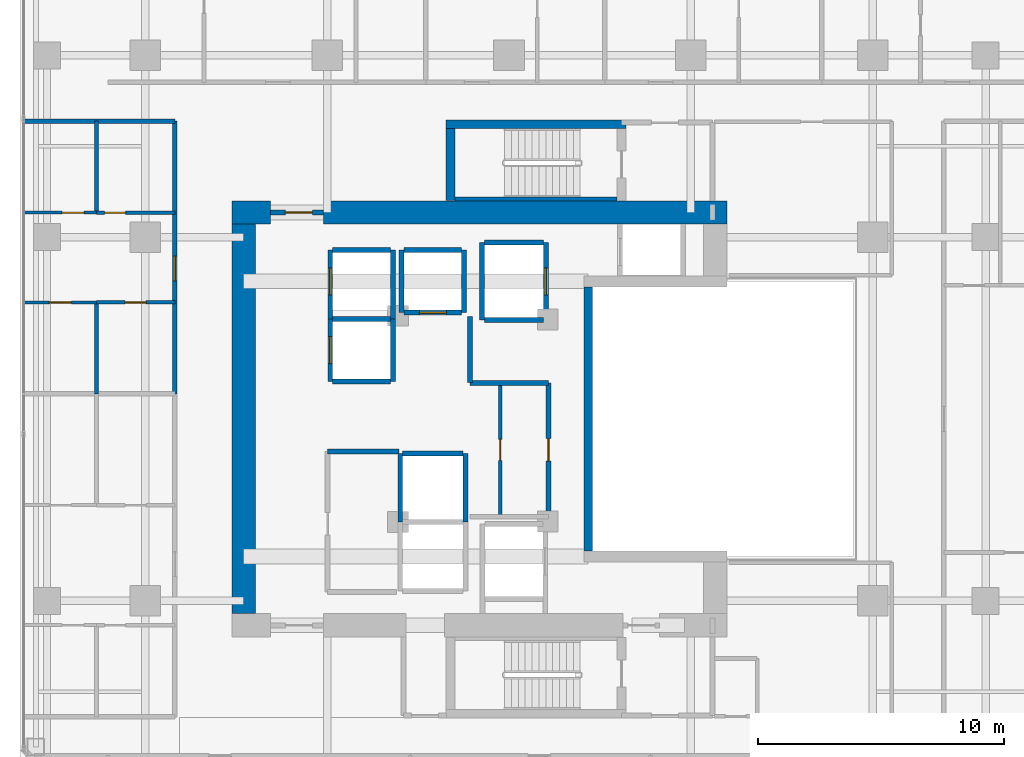
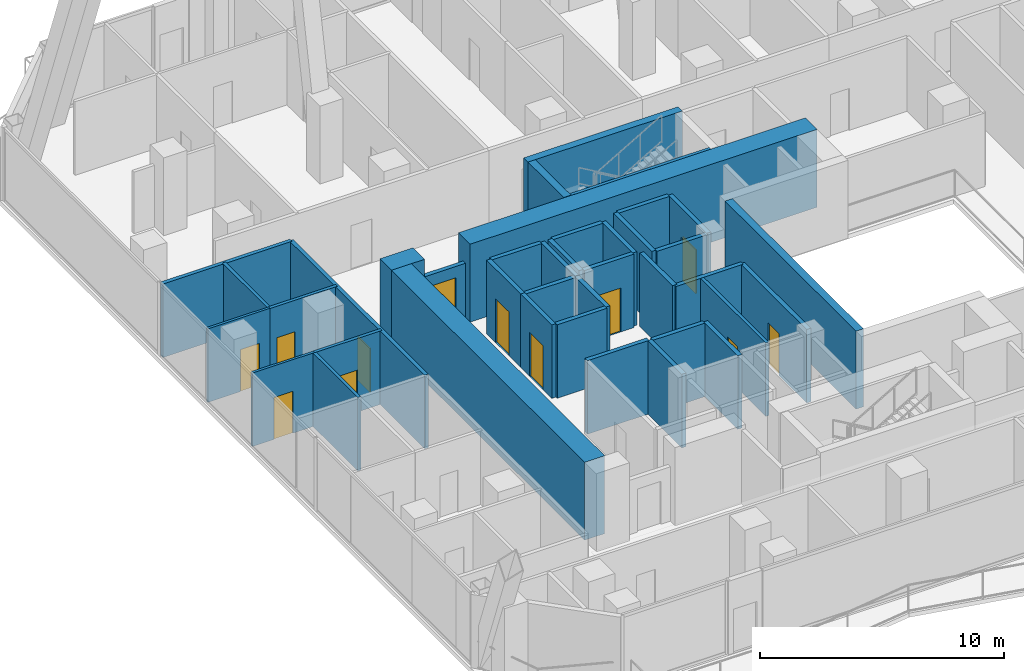
# One storey, part 22 of 28: 39 walls, 12 doors, 12 openings.
"""IFC4 building model written with IfcOpenShell, lengths in metres."""

from ifc_helpers import new_model, si_unit, direction, frame, frame_2d, origin, place, context, subcontext, project, spatial, rectangle, extrude, material, layer, layer_set, type_object, element, fill, save


model = new_model("IFC4")

# Units and contexts
model_context = context("Model", 3, precision=1e-05, world=origin(), true_north=direction((0.0, 1.0)))
body_context = subcontext(model_context, "Body", "Model", "MODEL_VIEW")
ifc_project = project(units=[si_unit("LENGTHUNIT", "METRE"), si_unit("AREAUNIT", "SQUARE_METRE"), si_unit("VOLUMEUNIT", "CUBIC_METRE"), si_unit("PLANEANGLEUNIT", "RADIAN"), si_unit("MASSUNIT", "GRAM", prefix="KILO")], contexts=[model_context])

# Site, building, storey
site_placement = place(None, origin())
site = spatial("IfcSite", under=ifc_project, at=site_placement, CompositionType="ELEMENT")
building_placement = place(site_placement, origin())
building = spatial("IfcBuilding", under=site, at=building_placement, Name="Khorvyn Point Tower", CompositionType="ELEMENT")
storey_placement = place(building_placement, frame((0.0, 0.0, 121.199951171875)))
storey = spatial("IfcBuildingStorey", under=building, at=storey_placement, Name="L30", CompositionType="ELEMENT", Elevation=121.199951171875)

# Wall, opening, door
ifc_material_1 = material(Name="Double acoustic gypsum on twin steel stud", Category="steel")
ifc_layer_1 = layer(ifc_material_1, 0.179931640625)
ifc_layer_set_1 = layer_set([ifc_layer_1], Name="Acoustic Double-Stud Apartment Demising Wall 180")
wall_type_1 = type_object("IfcWallType", Name="Acoustic Double-Stud Apartment Demising Wall 180", PredefinedType="PARTITIONING", material=ifc_layer_set_1)
wall_1_placement = place(storey_placement, frame((-13.60009765625, 1.01806640625, 0.0), z_axis=(0.0, 0.0, 1.0), x_axis=(0.0, 1.0, 0.0)))
wall_1 = element("IfcWall", 1, at=wall_1_placement, inside=storey, type_object=wall_type_1, Name="Wall", PredefinedType="PARTITIONING", context=body_context, shape_type="SweptSolid", body=[
    extrude(rectangle(XDim=11.10205078125, YDim=0.179931640625, at=frame_2d((5.551025390625, 0.0))), origin(), (0.0, 0.0, 1.0), 3.679931640625),
])
opening_1_placement = place(wall_1_placement, frame((4.6064453125, 0.0, 0.0)))
opening_1 = element("IfcOpeningElement", 2, at=opening_1_placement, cuts=wall_1, Name="Opening ID-AP60", PredefinedType="OPENING", context=body_context, shape_type="SweptSolid", body=[
    extrude(rectangle(XDim=1.0, YDim=2.199951171875, at=frame_2d((0.5, 1.10009765625))), frame((0.0, 0.099853515625, 0.0), z_axis=(0.0, -1.0, 0.0), x_axis=(1.0, 0.0, 0.0)), (0.0, 0.0, 1.0), 0.199951171875),
])
ifc_material_2 = material(Name="Engineered hardwood fire-rated leaf", Category="wood")
door_type_1 = type_object("IfcDoorType", Name="Acoustic Solid-Core Timber Apartment Entrance Door 1000x2200", OperationType="NOTDEFINED", PredefinedType="DOOR", material=ifc_material_2)
door_1_placement = place(opening_1_placement, origin())
door_1 = element("IfcDoor", 3, at=door_1_placement, inside=storey, type_object=door_type_1, Name="Door", OperationType="SINGLE_SWING_LEFT", OverallHeight=2.199951171875, OverallWidth=1.0, PredefinedType="DOOR", context=body_context, shape_type="SweptSolid", body=[
    extrude(rectangle(XDim=1.0, YDim=2.199951171875, at=frame_2d((0.5, 1.10009765625))), frame((0.0, 0.02490234375, 0.0), z_axis=(0.0, -1.0, 0.0), x_axis=(1.0, 0.0, 0.0)), (0.0, 0.0, 1.0), 0.050048828125),
])
fill(opening_1, door_1)

# Wall
wall_2_placement = place(storey_placement, frame((-19.72998046875, 12.1201171875, 0.0), z_axis=(0.0, 0.0, 1.0), x_axis=(1.0, 0.0, 0.0)))
element("IfcWall", 4, at=wall_2_placement, inside=storey, type_object=wall_type_1, Name="Wall", PredefinedType="PARTITIONING", context=body_context, shape_type="SweptSolid", body=[
    extrude(rectangle(XDim=6.1298828125, YDim=0.179931640625, at=frame_2d((3.06494140625, 0.0))), origin(), (0.0, 0.0, 1.0), 3.679931640625),
])

# Wall, opening, door
ifc_material_3 = material(Name="Concrete C40/50", Category="concrete")
ifc_layer_2 = layer(ifc_material_3, 0.199951171875)
ifc_layer_set_2 = layer_set([ifc_layer_2], Name="Concrete C40/50 Fire-Lobby Compartment Wall 200")
wall_type_2 = type_object("IfcWallType", Name="Concrete C40/50 Fire-Lobby Compartment Wall 200", PredefinedType="SOLIDWALL", material=ifc_layer_set_2)
wall_3_placement = place(storey_placement, frame((-9.699951171875, 8.39990234375, 0.0), z_axis=(0.0, 0.0, 1.0), x_axis=(1.0, 0.0, 0.0)))
wall_3 = element("IfcWall", 5, at=wall_3_placement, inside=storey, type_object=wall_type_2, Name="Wall", PredefinedType="SOLIDWALL", context=body_context, shape_type="SweptSolid", body=[
    extrude(rectangle(XDim=2.14990234375, YDim=0.199951171875, at=frame_2d((1.074951171875, 0.0))), origin(), (0.0, 0.0, 1.0), 2.719970703125),
])
opening_2_placement = place(wall_3_placement, frame((0.597900390625, 0.0, 0.0)))
opening_2 = element("IfcOpeningElement", 6, at=opening_2_placement, cuts=wall_3, Name="Opening ID-FL90", PredefinedType="OPENING", context=body_context, shape_type="SweptSolid", body=[
    extrude(rectangle(XDim=1.10009765625, YDim=2.14990234375, at=frame_2d((0.550048828125, 1.074951171875))), frame((0.0, 0.10986328125, 0.0), z_axis=(0.0, -1.0, 0.0), x_axis=(1.0, 0.0, 0.0)), (0.0, 0.0, 1.0), 0.219970703125),
])
ifc_material_4 = material(Name="Galvanised powder-coated steel", Category="steel")
door_type_2 = type_object("IfcDoorType", Name="Fire-Rated Steel Lobby and Stair Door 1100x2150", OperationType="NOTDEFINED", PredefinedType="DOOR", material=ifc_material_4)
door_2_placement = place(opening_2_placement, origin())
door_2 = element("IfcDoor", 7, at=door_2_placement, inside=storey, type_object=door_type_2, Name="Door", OperationType="SINGLE_SWING_RIGHT", OverallHeight=2.14990234375, OverallWidth=1.10009765625, PredefinedType="DOOR", context=body_context, shape_type="SweptSolid", body=[
    extrude(rectangle(XDim=1.10009765625, YDim=2.14990234375, at=frame_2d((0.550048828125, 1.074951171875))), frame((0.0, 0.02490234375, 0.0), z_axis=(0.0, -1.0, 0.0), x_axis=(1.0, 0.0, 0.0)), (0.0, 0.0, 1.0), 0.050048828125),
])
fill(opening_2, door_2)

wall_4_placement = place(storey_placement, frame((1.610107421875, -3.97998046875, 0.0), z_axis=(0.0, 0.0, 1.0), x_axis=(0.0, 1.0, 0.0)))
wall_4 = element("IfcWall", 8, at=wall_4_placement, inside=storey, type_object=wall_type_2, Name="Wall", PredefinedType="SOLIDWALL", context=body_context, shape_type="SweptSolid", body=[
    extrude(rectangle(XDim=5.43994140625, YDim=0.199951171875, at=frame_2d((2.719970703125, 0.0))), origin(), (0.0, 0.0, 1.0), 3.679931640625),
])
opening_3_placement = place(wall_4_placement, frame((2.260009765625, 0.0, 0.0)))
opening_3 = element("IfcOpeningElement", 9, at=opening_3_placement, cuts=wall_4, Name="Opening ID-RS60", PredefinedType="OPENING", context=body_context, shape_type="SweptSolid", body=[
    extrude(rectangle(XDim=0.919921875, YDim=2.10009765625, at=frame_2d((0.4599609375, 1.050048828125))), frame((0.0, 0.10986328125, 0.0), z_axis=(0.0, -1.0, 0.0), x_axis=(1.0, 0.0, 0.0)), (0.0, 0.0, 1.0), 0.219970703125),
])
door_type_3 = type_object("IfcDoorType", Name="Fire-Rated Riser and Store Steel Door 920x2100", OperationType="NOTDEFINED", PredefinedType="DOOR", material=ifc_material_4)
door_3_placement = place(opening_3_placement, origin())
door_3 = element("IfcDoor", 10, at=door_3_placement, inside=storey, type_object=door_type_3, Name="Door", OperationType="SINGLE_SWING_LEFT", OverallHeight=2.10009765625, OverallWidth=0.919921875, PredefinedType="DOOR", context=body_context, shape_type="SweptSolid", body=[
    extrude(rectangle(XDim=0.919921875, YDim=2.10009765625, at=frame_2d((0.4599609375, 1.050048828125))), frame((0.0, 0.02490234375, 0.0), z_axis=(0.0, -1.0, 0.0), x_axis=(1.0, 0.0, 0.0)), (0.0, 0.0, 1.0), 0.050048828125),
])
fill(opening_3, door_3)

# Walls
wall_5_placement = place(storey_placement, frame((-7.3798828125, -1.320068359375, 0.0), z_axis=(0.0, 0.0, 1.0), x_axis=(1.0, 0.0, 0.0)))
element("IfcWall", 11, at=wall_5_placement, inside=storey, type_object=wall_type_2, Name="Wall", PredefinedType="SOLIDWALL", context=body_context, shape_type="SweptSolid", body=[
    extrude(rectangle(XDim=2.909912109375, YDim=0.199951171875, at=frame_2d((1.455078125, 0.0))), origin(), (0.0, 0.0, 1.0), 3.679931640625),
])
wall_6_placement = place(storey_placement, frame((-1.580078125, 1.47998046875, 0.0), z_axis=(0.0, 0.0, 1.0), x_axis=(0.0, 1.0, 0.0)))
element("IfcWall", 12, at=wall_6_placement, inside=storey, type_object=wall_type_2, Name="Wall", PredefinedType="SOLIDWALL", context=body_context, shape_type="SweptSolid", body=[
    extrude(rectangle(XDim=2.699951171875, YDim=0.199951171875, at=frame_2d((1.35009765625, 0.0))), origin(), (0.0, 0.0, 1.0), 3.679931640625),
])
wall_7_placement = place(storey_placement, frame((-1.580078125, 1.4599609375, 0.0), z_axis=(0.0, 0.0, 1.0), x_axis=(1.0, 0.0, 0.0)))
element("IfcWall", 13, at=wall_7_placement, inside=storey, type_object=wall_type_2, Name="Wall", PredefinedType="SOLIDWALL", context=body_context, shape_type="SweptSolid", body=[
    extrude(rectangle(XDim=3.190185546875, YDim=0.199951171875, at=frame_2d((1.59521484375, 0.0))), origin(), (0.0, 0.0, 1.0), 3.679931640625),
])
ifc_layer_3 = layer(ifc_material_3, 0.25)
ifc_layer_set_3 = layer_set([ifc_layer_3], Name="Concrete C40/50 Stair Inner Cheek Structural Wall 250")
wall_type_3 = type_object("IfcWallType", Name="Concrete C40/50 Stair Inner Cheek Structural Wall 250", PredefinedType="SHEAR", material=ifc_layer_set_3)
wall_8_placement = place(storey_placement, frame((-2.199951171875, 8.949951171875, 0.0), z_axis=(0.0, 0.0, 1.0), x_axis=(1.0, 0.0, 0.0)))
element("IfcWall", 14, at=wall_8_placement, inside=storey, type_object=wall_type_3, Name="Wall", PredefinedType="SHEAR", context=body_context, shape_type="SweptSolid", body=[
    extrude(rectangle(XDim=6.599853515625, YDim=0.14990234375, at=frame_2d((3.2998046875, 0.0))), origin(), (0.0, 0.0, 1.0), 3.900146484375),
])
ifc_layer_4 = layer(ifc_material_3, 0.35009765625)
ifc_layer_set_4 = layer_set([ifc_layer_4], Name="Concrete C40/50 Stair Shaft Structural Wall 350")
wall_type_4 = type_object("IfcWallType", Name="Concrete C40/50 Stair Shaft Structural Wall 350", PredefinedType="SHEAR", material=ifc_layer_set_4)
wall_9_placement = place(storey_placement, frame((3.219970703125, -5.375, 0.0), z_axis=(0.0, 0.0, 1.0), x_axis=(0.0, 1.0, 0.0)))
element("IfcWall", 15, at=wall_9_placement, inside=storey, type_object=wall_type_4, Name="Wall", PredefinedType="SHEAR", context=body_context, shape_type="SweptSolid", body=[
    extrude(rectangle(XDim=10.75, YDim=0.35009765625, at=frame_2d((5.375, 0.0))), origin(), (0.0, 0.0, 1.0), 3.900146484375),
])
wall_10_placement = place(storey_placement, frame((-2.554931640625, 12.0, 0.0), z_axis=(0.0, 0.0, 1.0), x_axis=(1.0, 0.0, 0.0)))
element("IfcWall", 16, at=wall_10_placement, inside=storey, type_object=wall_type_4, Name="L30 ST-02 North Shaft Wall", PredefinedType="SHEAR", context=body_context, shape_type="SweptSolid", body=[
    extrude(rectangle(XDim=7.309814453125, YDim=0.35009765625, at=frame_2d((3.65478515625, 0.0))), origin(), (0.0, 0.0, 1.0), 3.900146484375),
])
wall_11_placement = place(storey_placement, frame((-2.3798828125, 8.89990234375, 0.0), z_axis=(0.0, 0.0, 1.0), x_axis=(0.0, 1.0, 0.0)))
element("IfcWall", 17, at=wall_11_placement, inside=storey, type_object=wall_type_4, Name="L30 ST-02 West Shaft Wall", PredefinedType="SHEAR", context=body_context, shape_type="SweptSolid", body=[
    extrude(rectangle(XDim=2.925048828125, YDim=0.35009765625, at=frame_2d((1.46240234375, 0.0))), origin(), (0.0, 0.0, 1.0), 3.900146484375),
])

# Wall, opening, door
ifc_layer_5 = layer(ifc_material_3, 0.199951171875)
ifc_layer_set_5 = layer_set([ifc_layer_5], Name="Concrete C40/50 Structural Hoistway and Stair Shaft Wall 200")
wall_type_5 = type_object("IfcWallType", Name="Concrete C40/50 Structural Hoistway and Stair Shaft Wall 200", PredefinedType="SHEAR", material=ifc_layer_set_5)
wall_12_placement = place(storey_placement, frame((-7.27490234375, 1.52490234375, 0.0), z_axis=(0.0, 0.0, 1.0), x_axis=(0.0, 1.0, 0.0)))
wall_12 = element("IfcWall", 18, at=wall_12_placement, inside=storey, type_object=wall_type_5, Name="Wall", PredefinedType="SHEAR", context=body_context, shape_type="SweptSolid", body=[
    extrude(rectangle(XDim=2.550048828125, YDim=0.199951171875, at=frame_2d((1.27490234375, 0.0))), origin(), (0.0, 0.0, 1.0), 3.679931640625),
])
opening_4_placement = place(wall_12_placement, frame((0.72509765625, 0.0, 0.0)))
opening_4 = element("IfcOpeningElement", 19, at=opening_4_placement, cuts=wall_12, Name="Opening LD-1122", PredefinedType="OPENING", context=body_context, shape_type="SweptSolid", body=[
    extrude(rectangle(XDim=1.10009765625, YDim=2.199951171875, at=frame_2d((0.550048828125, 1.10009765625))), frame((0.0, 0.10986328125, 0.0), z_axis=(0.0, -1.0, 0.0), x_axis=(1.0, 0.0, 0.0)), (0.0, 0.0, 1.0), 0.219970703125),
])
ifc_material_5 = material(Name="Stainless steel 1.4301", Category="steel")
door_type_4 = type_object("IfcDoorType", Name="Stainless Steel Automatic Sliding Lift Landing Door 1100x2200", OperationType="SLIDING_TO_LEFT", PredefinedType="DOOR", material=ifc_material_5)
door_4_placement = place(opening_4_placement, origin())
door_4 = element("IfcDoor", 20, at=door_4_placement, inside=storey, type_object=door_type_4, Name="L30 RM-01 Sliding Lift Landing Door", OperationType="SLIDING_TO_LEFT", OverallHeight=2.199951171875, OverallWidth=1.10009765625, PredefinedType="DOOR", context=body_context, shape_type="SweptSolid", body=[
    extrude(rectangle(XDim=1.10009765625, YDim=2.199951171875, at=frame_2d((0.550048828125, 1.10009765625))), frame((0.0, 0.02490234375, 0.0), z_axis=(0.0, -1.0, 0.0), x_axis=(1.0, 0.0, 0.0)), (0.0, 0.0, 1.0), 0.050048828125),
])
fill(opening_4, door_4)

# Walls
wall_13_placement = place(storey_placement, frame((-4.72509765625, 1.52490234375, 0.0), z_axis=(0.0, 0.0, 1.0), x_axis=(0.0, 1.0, 0.0)))
element("IfcWall", 21, at=wall_13_placement, inside=storey, type_object=wall_type_5, Name="Wall", PredefinedType="SHEAR", context=body_context, shape_type="SweptSolid", body=[
    extrude(rectangle(XDim=2.550048828125, YDim=0.199951171875, at=frame_2d((1.27490234375, 0.0))), origin(), (0.0, 0.0, 1.0), 3.679931640625),
])
for number, where, z_axis, x_axis, name in (
    (22, (-7.175048828125, 1.52490234375, 0.0), (0.0, 0.0, 1.0), (1.0, 0.0, 0.0), "Wall"),
    (23, (-7.175048828125, 4.074951171875, 0.0), (0.0, 0.0, 1.0), (1.0, 0.0, 0.0), "Wall"),
):
    element("IfcWall", number, at=place(storey_placement, frame(where, z_axis=z_axis, x_axis=x_axis)), inside=storey, type_object=wall_type_5, Name=name, PredefinedType="SHEAR", context=body_context, shape_type="SweptSolid", body=[
        extrude(rectangle(XDim=2.35009765625, YDim=0.199951171875, at=frame_2d((1.175048828125, 0.0))), origin(), (0.0, 0.0, 1.0), 3.679931640625),
    ])

# Wall, opening, door
wall_14_placement = place(storey_placement, frame((-7.27490234375, 4.074951171875, 0.0), z_axis=(0.0, 0.0, 1.0), x_axis=(0.0, 1.0, 0.0)))
wall_14 = element("IfcWall", 24, at=wall_14_placement, inside=storey, type_object=wall_type_5, Name="Wall", PredefinedType="SHEAR", context=body_context, shape_type="SweptSolid", body=[
    extrude(rectangle(XDim=2.800048828125, YDim=0.199951171875, at=frame_2d((1.39990234375, 0.0))), origin(), (0.0, 0.0, 1.0), 3.679931640625),
])
opening_5_placement = place(wall_14_placement, frame((0.97509765625, 0.0, 0.0)))
opening_5 = element("IfcOpeningElement", 25, at=opening_5_placement, cuts=wall_14, Name="Opening LD-1122", PredefinedType="OPENING", context=body_context, shape_type="SweptSolid", body=[
    extrude(rectangle(XDim=1.10009765625, YDim=2.199951171875, at=frame_2d((0.550048828125, 1.10009765625))), frame((0.0, 0.10986328125, 0.0), z_axis=(0.0, -1.0, 0.0), x_axis=(1.0, 0.0, 0.0)), (0.0, 0.0, 1.0), 0.219970703125),
])
door_5_placement = place(opening_5_placement, origin())
door_5 = element("IfcDoor", 26, at=door_5_placement, inside=storey, type_object=door_type_4, Name="L30 RM-02 Sliding Lift Landing Door", OperationType="SLIDING_TO_LEFT", OverallHeight=2.199951171875, OverallWidth=1.10009765625, PredefinedType="DOOR", context=body_context, shape_type="SweptSolid", body=[
    extrude(rectangle(XDim=1.10009765625, YDim=2.199951171875, at=frame_2d((0.550048828125, 1.10009765625))), frame((0.0, 0.02490234375, 0.0), z_axis=(0.0, -1.0, 0.0), x_axis=(1.0, 0.0, 0.0)), (0.0, 0.0, 1.0), 0.050048828125),
])
fill(opening_5, door_5)

# Walls
wall_15_placement = place(storey_placement, frame((-4.72509765625, 4.074951171875, 0.0), z_axis=(0.0, 0.0, 1.0), x_axis=(0.0, 1.0, 0.0)))
element("IfcWall", 27, at=wall_15_placement, inside=storey, type_object=wall_type_5, Name="Wall", PredefinedType="SHEAR", context=body_context, shape_type="SweptSolid", body=[
    extrude(rectangle(XDim=2.800048828125, YDim=0.199951171875, at=frame_2d((1.39990234375, 0.0))), origin(), (0.0, 0.0, 1.0), 3.679931640625),
])
wall_16_placement = place(storey_placement, frame((-7.175048828125, 6.875, 0.0), z_axis=(0.0, 0.0, 1.0), x_axis=(1.0, 0.0, 0.0)))
element("IfcWall", 28, at=wall_16_placement, inside=storey, type_object=wall_type_5, Name="Wall", PredefinedType="SHEAR", context=body_context, shape_type="SweptSolid", body=[
    extrude(rectangle(XDim=2.35009765625, YDim=0.199951171875, at=frame_2d((1.175048828125, 0.0))), origin(), (0.0, 0.0, 1.0), 3.679931640625),
])
for number, where, z_axis, x_axis, name in (
    (29, (-4.375, 4.324951171875, 0.0), (0.0, 0.0, 1.0), (0.0, 1.0, 0.0), "Wall"),
    (30, (-1.824951171875, 4.324951171875, 0.0), (0.0, 0.0, 1.0), (0.0, 1.0, 0.0), "Wall"),
):
    element("IfcWall", number, at=place(storey_placement, frame(where, z_axis=z_axis, x_axis=x_axis)), inside=storey, type_object=wall_type_5, Name=name, PredefinedType="SHEAR", context=body_context, shape_type="SweptSolid", body=[
        extrude(rectangle(XDim=2.550048828125, YDim=0.199951171875, at=frame_2d((1.27490234375, 0.0))), origin(), (0.0, 0.0, 1.0), 3.679931640625),
    ])

# Wall, opening, door
wall_17_placement = place(storey_placement, frame((-4.27490234375, 4.324951171875, 0.0), z_axis=(0.0, 0.0, 1.0), x_axis=(1.0, 0.0, 0.0)))
wall_17 = element("IfcWall", 31, at=wall_17_placement, inside=storey, type_object=wall_type_5, Name="Wall", PredefinedType="SHEAR", context=body_context, shape_type="SweptSolid", body=[
    extrude(rectangle(XDim=2.349853515625, YDim=0.199951171875, at=frame_2d((1.1748046875, 0.0))), origin(), (0.0, 0.0, 1.0), 3.679931640625),
])
opening_6_placement = place(wall_17_placement, frame((0.625, 0.0, 0.0)))
opening_6 = element("IfcOpeningElement", 32, at=opening_6_placement, cuts=wall_17, Name="Opening LD-1122", PredefinedType="OPENING", context=body_context, shape_type="SweptSolid", body=[
    extrude(rectangle(XDim=1.10009765625, YDim=2.199951171875, at=frame_2d((0.550048828125, 1.10009765625))), frame((0.0, 0.10986328125, 0.0), z_axis=(0.0, -1.0, 0.0), x_axis=(1.0, 0.0, 0.0)), (0.0, 0.0, 1.0), 0.219970703125),
])
door_6_placement = place(opening_6_placement, origin())
door_6 = element("IfcDoor", 33, at=door_6_placement, inside=storey, type_object=door_type_4, Name="L30 RM-03 Sliding Lift Landing Door", OperationType="SLIDING_TO_LEFT", OverallHeight=2.199951171875, OverallWidth=1.10009765625, PredefinedType="DOOR", context=body_context, shape_type="SweptSolid", body=[
    extrude(rectangle(XDim=1.10009765625, YDim=2.199951171875, at=frame_2d((0.550048828125, 1.10009765625))), frame((0.0, 0.02490234375, 0.0), z_axis=(0.0, -1.0, 0.0), x_axis=(1.0, 0.0, 0.0)), (0.0, 0.0, 1.0), 0.050048828125),
])
fill(opening_6, door_6)

# Walls
wall_18_placement = place(storey_placement, frame((-4.27490234375, 6.875, 0.0), z_axis=(0.0, 0.0, 1.0), x_axis=(1.0, 0.0, 0.0)))
element("IfcWall", 34, at=wall_18_placement, inside=storey, type_object=wall_type_5, Name="Wall", PredefinedType="SHEAR", context=body_context, shape_type="SweptSolid", body=[
    extrude(rectangle(XDim=2.349853515625, YDim=0.199951171875, at=frame_2d((1.1748046875, 0.0))), origin(), (0.0, 0.0, 1.0), 3.679931640625),
])
for number, where, z_axis, x_axis, name in (
    (35, (-4.425048828125, -4.199951171875, 0.0), (0.0, 0.0, 1.0), (0.0, 1.0, 0.0), "Wall"),
    (36, (-1.77490234375, -4.199951171875, 0.0), (0.0, 0.0, 1.0), (0.0, 1.0, 0.0), "Wall"),
):
    element("IfcWall", number, at=place(storey_placement, frame(where, z_axis=z_axis, x_axis=x_axis)), inside=storey, type_object=wall_type_5, Name=name, PredefinedType="SHEAR", context=body_context, shape_type="SweptSolid", body=[
        extrude(rectangle(XDim=2.800048828125, YDim=0.199951171875, at=frame_2d((1.39990234375, 0.0))), origin(), (0.0, 0.0, 1.0), 3.679931640625),
    ])
wall_19_placement = place(storey_placement, frame((-4.324951171875, -1.39990234375, 0.0), z_axis=(0.0, 0.0, 1.0), x_axis=(1.0, 0.0, 0.0)))
element("IfcWall", 37, at=wall_19_placement, inside=storey, type_object=wall_type_5, Name="Wall", PredefinedType="SHEAR", context=body_context, shape_type="SweptSolid", body=[
    extrude(rectangle(XDim=2.449951171875, YDim=0.199951171875, at=frame_2d((1.22509765625, 0.0))), origin(), (0.0, 0.0, 1.0), 3.679931640625),
])
wall_20_placement = place(storey_placement, frame((-1.10009765625, 4.02490234375, 0.0), z_axis=(0.0, 0.0, 1.0), x_axis=(0.0, 1.0, 0.0)))
element("IfcWall", 38, at=wall_20_placement, inside=storey, type_object=wall_type_5, Name="Wall", PredefinedType="SHEAR", context=body_context, shape_type="SweptSolid", body=[
    extrude(rectangle(XDim=3.150146484375, YDim=0.199951171875, at=frame_2d((1.5751953125, 0.0))), origin(), (0.0, 0.0, 1.0), 3.679931640625),
])

# Wall, opening, door
wall_21_placement = place(storey_placement, frame((1.5, 4.02490234375, 0.0), z_axis=(0.0, 0.0, 1.0), x_axis=(0.0, 1.0, 0.0)))
wall_21 = element("IfcWall", 39, at=wall_21_placement, inside=storey, type_object=wall_type_5, Name="Wall", PredefinedType="SHEAR", context=body_context, shape_type="SweptSolid", body=[
    extrude(rectangle(XDim=3.150146484375, YDim=0.199951171875, at=frame_2d((1.5751953125, 0.0))), origin(), (0.0, 0.0, 1.0), 3.679931640625),
])
opening_7_placement = place(wall_21_placement, frame((1.02490234375, 0.0, 0.0)))
opening_7 = element("IfcOpeningElement", 40, at=opening_7_placement, cuts=wall_21, Name="Opening LD-1122", PredefinedType="OPENING", context=body_context, shape_type="SweptSolid", body=[
    extrude(rectangle(XDim=1.10009765625, YDim=2.199951171875, at=frame_2d((0.550048828125, 1.10009765625))), frame((0.0, 0.10986328125, 0.0), z_axis=(0.0, -1.0, 0.0), x_axis=(1.0, 0.0, 0.0)), (0.0, 0.0, 1.0), 0.219970703125),
])
door_7_placement = place(opening_7_placement, origin())
door_7 = element("IfcDoor", 41, at=door_7_placement, inside=storey, type_object=door_type_4, Name="L30 SV-01 Sliding Lift Landing Door", OperationType="SLIDING_TO_LEFT", OverallHeight=2.199951171875, OverallWidth=1.10009765625, PredefinedType="DOOR", context=body_context, shape_type="SweptSolid", body=[
    extrude(rectangle(XDim=1.10009765625, YDim=2.199951171875, at=frame_2d((0.550048828125, 1.10009765625))), frame((0.0, 0.02490234375, 0.0), z_axis=(0.0, -1.0, 0.0), x_axis=(1.0, 0.0, 0.0)), (0.0, 0.0, 1.0), 0.050048828125),
])
fill(opening_7, door_7)

# Walls
for number, where, z_axis, x_axis, name in (
    (42, (-1.0, 4.02490234375, 0.0), (0.0, 0.0, 1.0), (1.0, 0.0, 0.0), "Wall"),
    (43, (-1.0, 7.175048828125, 0.0), (0.0, 0.0, 1.0), (1.0, 0.0, 0.0), "Wall"),
):
    element("IfcWall", number, at=place(storey_placement, frame(where, z_axis=z_axis, x_axis=x_axis)), inside=storey, type_object=wall_type_5, Name=name, PredefinedType="SHEAR", context=body_context, shape_type="SweptSolid", body=[
        extrude(rectangle(XDim=2.39990234375, YDim=0.199951171875, at=frame_2d((1.199951171875, 0.0))), origin(), (0.0, 0.0, 1.0), 3.679931640625),
    ])
ifc_material_6 = material(Name="Concrete C50/60", Category="concrete")
ifc_layer_6 = layer(ifc_material_6, 0.949951171875)
ifc_layer_set_6 = layer_set([ifc_layer_6], Name="Concrete C50/60 Core Shear Wall 950")
wall_type_6 = type_object("IfcWallType", Name="Concrete C50/60 Core Shear Wall 950", PredefinedType="SHEAR", material=ifc_layer_set_6)
wall_22_placement = place(storey_placement, frame((-11.27490234375, 8.39990234375, 0.0), z_axis=(0.0, 0.0, 1.0), x_axis=(1.0, 0.0, 0.0)))
element("IfcWall", 44, at=wall_22_placement, inside=storey, type_object=wall_type_6, Name="Wall", PredefinedType="SHEAR", context=body_context, shape_type="SweptSolid", body=[
    extrude(rectangle(XDim=1.574951171875, YDim=0.949951171875, at=frame_2d((0.78759765625, 0.0))), origin(), (0.0, 0.0, 1.0), 3.900146484375),
])
wall_23_placement = place(storey_placement, frame((-7.550048828125, 8.39990234375, 0.0), z_axis=(0.0, 0.0, 1.0), x_axis=(1.0, 0.0, 0.0)))
element("IfcWall", 45, at=wall_23_placement, inside=storey, type_object=wall_type_6, Name="Wall", PredefinedType="SHEAR", context=body_context, shape_type="SweptSolid", body=[
    extrude(rectangle(XDim=16.425048828125, YDim=0.949951171875, at=frame_2d((8.21240234375, 0.0))), origin(), (0.0, 0.0, 1.0), 3.900146484375),
])
wall_24_placement = place(storey_placement, frame((-10.800048828125, -7.925048828125, 0.0), z_axis=(0.0, 0.0, 1.0), x_axis=(0.0, 1.0, 0.0)))
element("IfcWall", 46, at=wall_24_placement, inside=storey, type_object=wall_type_6, Name="Wall", PredefinedType="SHEAR", context=body_context, shape_type="SweptSolid", body=[
    extrude(rectangle(XDim=15.85009765625, YDim=0.949951171875, at=frame_2d((7.925048828125, 0.0))), origin(), (0.0, 0.0, 1.0), 3.900146484375),
])

# Wall, opening, door
ifc_material_7 = material(Name="Gypsum plasterboard on steel stud", Category="steel")
ifc_layer_7 = layer(ifc_material_7, 0.1201171875)
ifc_layer_set_7 = layer_set([ifc_layer_7], Name="Gypsum Acoustic Stud Room Partition Wall 120")
wall_type_7 = type_object("IfcWallType", Name="Gypsum Acoustic Stud Room Partition Wall 120", PredefinedType="PARTITIONING", material=ifc_layer_set_7)
wall_25_placement = place(storey_placement, frame((-19.72998046875, 4.743896484375, 0.0), z_axis=(0.0, 0.0, 1.0), x_axis=(1.0, 0.0, 0.0)))
wall_25 = element("IfcWall", 47, at=wall_25_placement, inside=storey, type_object=wall_type_7, Name="Wall", PredefinedType="PARTITIONING", context=body_context, shape_type="SweptSolid", body=[
    extrude(rectangle(XDim=2.946044921875, YDim=0.1201171875, at=frame_2d((1.47314453125, 0.0))), origin(), (0.0, 0.0, 1.0), 3.679931640625),
])
opening_8_placement = place(wall_25_placement, frame((1.02294921875, 0.0, 0.0)))
opening_8 = element("IfcOpeningElement", 48, at=opening_8_placement, cuts=wall_25, Name="Opening ID-RM90", PredefinedType="OPENING", context=body_context, shape_type="SweptSolid", body=[
    extrude(rectangle(XDim=0.89990234375, YDim=2.10009765625, at=frame_2d((0.449951171875, 1.050048828125))), frame((0.0, 0.070068359375, 0.0), z_axis=(0.0, -1.0, 0.0), x_axis=(1.0, 0.0, 0.0)), (0.0, 0.0, 1.0), 0.14013671875),
])
ifc_material_8 = material(Name="Engineered oak veneer timber", Category="wood")
door_type_5 = type_object("IfcDoorType", Name="Flush Engineered Timber Room Door 900x2100", OperationType="NOTDEFINED", PredefinedType="DOOR", material=ifc_material_8)
door_8_placement = place(opening_8_placement, origin())
door_8 = element("IfcDoor", 49, at=door_8_placement, inside=storey, type_object=door_type_5, Name="Door", OperationType="SINGLE_SWING_RIGHT", OverallHeight=2.10009765625, OverallWidth=0.89990234375, PredefinedType="DOOR", context=body_context, shape_type="SweptSolid", body=[
    extrude(rectangle(XDim=0.89990234375, YDim=2.10009765625, at=frame_2d((0.449951171875, 1.050048828125))), frame((0.0, 0.02490234375, 0.0), z_axis=(0.0, -1.0, 0.0), x_axis=(1.0, 0.0, 0.0)), (0.0, 0.0, 1.0), 0.050048828125),
])
fill(opening_8, door_8)

wall_26_placement = place(storey_placement, frame((-19.72998046875, 8.39404296875, 0.0), z_axis=(0.0, 0.0, 1.0), x_axis=(1.0, 0.0, 0.0)))
wall_26 = element("IfcWall", 50, at=wall_26_placement, inside=storey, type_object=wall_type_7, Name="Wall", PredefinedType="PARTITIONING", context=body_context, shape_type="SweptSolid", body=[
    extrude(rectangle(XDim=2.946044921875, YDim=0.1201171875, at=frame_2d((1.47314453125, 0.0))), origin(), (0.0, 0.0, 1.0), 3.679931640625),
])
opening_9_placement = place(wall_26_placement, frame((1.540771484375, 0.0, 0.0)))
opening_9 = element("IfcOpeningElement", 51, at=opening_9_placement, cuts=wall_26, Name="Opening ID-RM90", PredefinedType="OPENING", context=body_context, shape_type="SweptSolid", body=[
    extrude(rectangle(XDim=0.89990234375, YDim=2.10009765625, at=frame_2d((0.449951171875, 1.050048828125))), frame((0.0, 0.070068359375, 0.0), z_axis=(0.0, -1.0, 0.0), x_axis=(1.0, 0.0, 0.0)), (0.0, 0.0, 1.0), 0.14013671875),
])
door_9_placement = place(opening_9_placement, origin())
door_9 = element("IfcDoor", 52, at=door_9_placement, inside=storey, type_object=door_type_5, Name="Door", OperationType="SINGLE_SWING_LEFT", OverallHeight=2.10009765625, OverallWidth=0.89990234375, PredefinedType="DOOR", context=body_context, shape_type="SweptSolid", body=[
    extrude(rectangle(XDim=0.89990234375, YDim=2.10009765625, at=frame_2d((0.449951171875, 1.050048828125))), frame((0.0, 0.02490234375, 0.0), z_axis=(0.0, -1.0, 0.0), x_axis=(1.0, 0.0, 0.0)), (0.0, 0.0, 1.0), 0.050048828125),
])
fill(opening_9, door_9)

ifc_material_9 = material(Name="Moisture-resistant gypsum and cement board", Category="gypsum")
ifc_layer_8 = layer(ifc_material_9, 0.14990234375)
ifc_layer_set_8 = layer_set([ifc_layer_8], Name="Moisture-Resistant Wet-Room Partition Wall 150")
wall_type_8 = type_object("IfcWallType", Name="Moisture-Resistant Wet-Room Partition Wall 150", PredefinedType="PARTITIONING", material=ifc_layer_set_8)
wall_27_placement = place(storey_placement, frame((-0.35009765625, -3.97998046875, 0.0), z_axis=(0.0, 0.0, 1.0), x_axis=(0.0, 1.0, 0.0)))
wall_27 = element("IfcWall", 53, at=wall_27_placement, inside=storey, type_object=wall_type_8, Name="Wall", PredefinedType="PARTITIONING", context=body_context, shape_type="SweptSolid", body=[
    extrude(rectangle(XDim=5.43994140625, YDim=0.14990234375, at=frame_2d((2.719970703125, 0.0))), origin(), (0.0, 0.0, 1.0), 3.679931640625),
])
opening_10_placement = place(wall_27_placement, frame((2.294921875, 0.0, 0.0)))
opening_10 = element("IfcOpeningElement", 54, at=opening_10_placement, cuts=wall_27, Name="Opening ID-WC85", PredefinedType="OPENING", context=body_context, shape_type="SweptSolid", body=[
    extrude(rectangle(XDim=0.85009765625, YDim=2.10009765625, at=frame_2d((0.425048828125, 1.050048828125))), frame((0.0, 0.0849609375, 0.0), z_axis=(0.0, -1.0, 0.0), x_axis=(1.0, 0.0, 0.0)), (0.0, 0.0, 1.0), 0.169921875),
])
ifc_material_10 = material(Name="High-pressure laminate on moisture-resistant core", Category="wood")
door_type_6 = type_object("IfcDoorType", Name="Moisture-Resistant Accessible Washroom Door 850x2100", OperationType="NOTDEFINED", PredefinedType="DOOR", material=ifc_material_10)
door_10_placement = place(opening_10_placement, origin())
door_10 = element("IfcDoor", 55, at=door_10_placement, inside=storey, type_object=door_type_6, Name="Door", OperationType="SINGLE_SWING_RIGHT", OverallHeight=2.10009765625, OverallWidth=0.85009765625, PredefinedType="DOOR", context=body_context, shape_type="SweptSolid", body=[
    extrude(rectangle(XDim=0.85009765625, YDim=2.10009765625, at=frame_2d((0.425048828125, 1.050048828125))), frame((0.0, 0.02490234375, 0.0), z_axis=(0.0, -1.0, 0.0), x_axis=(1.0, 0.0, 0.0)), (0.0, 0.0, 1.0), 0.050048828125),
])
fill(opening_10, door_10)

wall_28_placement = place(storey_placement, frame((-16.783935546875, 8.39404296875, 0.0), z_axis=(0.0, 0.0, 1.0), x_axis=(1.0, 0.0, 0.0)))
wall_28 = element("IfcWall", 56, at=wall_28_placement, inside=storey, type_object=wall_type_8, Name="Wall", PredefinedType="PARTITIONING", context=body_context, shape_type="SweptSolid", body=[
    extrude(rectangle(XDim=3.183837890625, YDim=0.14990234375, at=frame_2d((1.591796875, 0.0))), origin(), (0.0, 0.0, 1.0), 3.679931640625),
])
opening_11_placement = place(wall_28_placement, frame((0.327880859375, 0.0, 0.0)))
opening_11 = element("IfcOpeningElement", 57, at=opening_11_placement, cuts=wall_28, Name="Opening ID-WC85", PredefinedType="OPENING", context=body_context, shape_type="SweptSolid", body=[
    extrude(rectangle(XDim=0.85009765625, YDim=2.10009765625, at=frame_2d((0.425048828125, 1.050048828125))), frame((0.0, 0.0849609375, 0.0), z_axis=(0.0, -1.0, 0.0), x_axis=(1.0, 0.0, 0.0)), (0.0, 0.0, 1.0), 0.169921875),
])
door_11_placement = place(opening_11_placement, origin())
door_11 = element("IfcDoor", 58, at=door_11_placement, inside=storey, type_object=door_type_6, Name="Door", OperationType="SINGLE_SWING_RIGHT", OverallHeight=2.10009765625, OverallWidth=0.85009765625, PredefinedType="DOOR", context=body_context, shape_type="SweptSolid", body=[
    extrude(rectangle(XDim=0.85009765625, YDim=2.10009765625, at=frame_2d((0.425048828125, 1.050048828125))), frame((0.0, 0.02490234375, 0.0), z_axis=(0.0, -1.0, 0.0), x_axis=(1.0, 0.0, 0.0)), (0.0, 0.0, 1.0), 0.050048828125),
])
fill(opening_11, door_11)

wall_29_placement = place(storey_placement, frame((-16.783935546875, 4.743896484375, 0.0), z_axis=(0.0, 0.0, 1.0), x_axis=(1.0, 0.0, 0.0)))
wall_29 = element("IfcWall", 59, at=wall_29_placement, inside=storey, type_object=wall_type_8, Name="Wall", PredefinedType="PARTITIONING", context=body_context, shape_type="SweptSolid", body=[
    extrude(rectangle(XDim=3.183837890625, YDim=0.14990234375, at=frame_2d((1.591796875, 0.0))), origin(), (0.0, 0.0, 1.0), 3.679931640625),
])
opening_12_placement = place(wall_29_placement, frame((1.1669921875, 0.0, 0.0)))
opening_12 = element("IfcOpeningElement", 60, at=opening_12_placement, cuts=wall_29, Name="Opening ID-WC85", PredefinedType="OPENING", context=body_context, shape_type="SweptSolid", body=[
    extrude(rectangle(XDim=0.85009765625, YDim=2.10009765625, at=frame_2d((0.425048828125, 1.050048828125))), frame((0.0, 0.0849609375, 0.0), z_axis=(0.0, -1.0, 0.0), x_axis=(1.0, 0.0, 0.0)), (0.0, 0.0, 1.0), 0.169921875),
])
door_12_placement = place(opening_12_placement, origin())
door_12 = element("IfcDoor", 61, at=door_12_placement, inside=storey, type_object=door_type_6, Name="Door", OperationType="SINGLE_SWING_LEFT", OverallHeight=2.10009765625, OverallWidth=0.85009765625, PredefinedType="DOOR", context=body_context, shape_type="SweptSolid", body=[
    extrude(rectangle(XDim=0.85009765625, YDim=2.10009765625, at=frame_2d((0.425048828125, 1.050048828125))), frame((0.0, 0.02490234375, 0.0), z_axis=(0.0, -1.0, 0.0), x_axis=(1.0, 0.0, 0.0)), (0.0, 0.0, 1.0), 0.050048828125),
])
fill(opening_12, door_12)

# Walls
wall_30_placement = place(storey_placement, frame((-16.783935546875, 1.01806640625, 0.0), z_axis=(0.0, 0.0, 1.0), x_axis=(0.0, 1.0, 0.0)))
element("IfcWall", 62, at=wall_30_placement, inside=storey, type_object=wall_type_8, Name="Wall", PredefinedType="PARTITIONING", context=body_context, shape_type="SweptSolid", body=[
    extrude(rectangle(XDim=3.725830078125, YDim=0.14990234375, at=frame_2d((1.86279296875, 0.0))), origin(), (0.0, 0.0, 1.0), 3.679931640625),
])
wall_31_placement = place(storey_placement, frame((-16.783935546875, 8.39404296875, 0.0), z_axis=(0.0, 0.0, 1.0), x_axis=(0.0, 1.0, 0.0)))
element("IfcWall", 63, at=wall_31_placement, inside=storey, type_object=wall_type_8, Name="Wall", PredefinedType="PARTITIONING", context=body_context, shape_type="SweptSolid", body=[
    extrude(rectangle(XDim=3.72607421875, YDim=0.14990234375, at=frame_2d((1.863037109375, 0.0))), origin(), (0.0, 0.0, 1.0), 3.679931640625),
])

save(model, "model.ifc")
